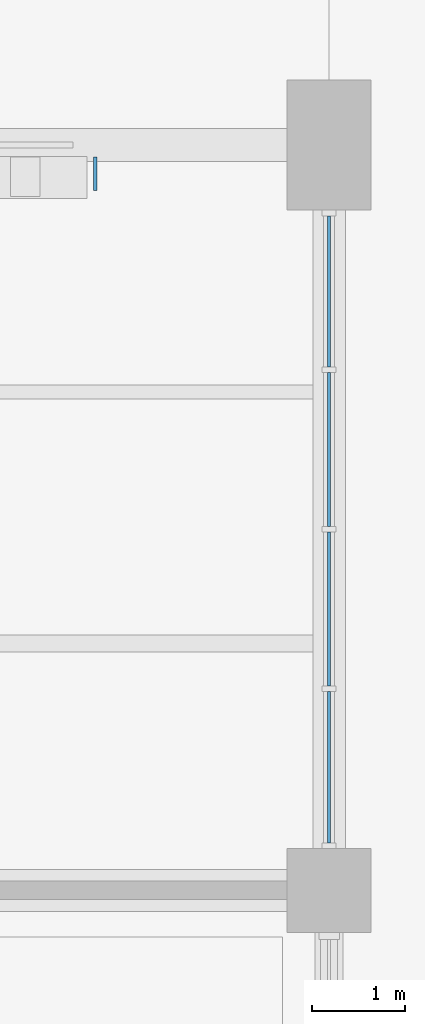
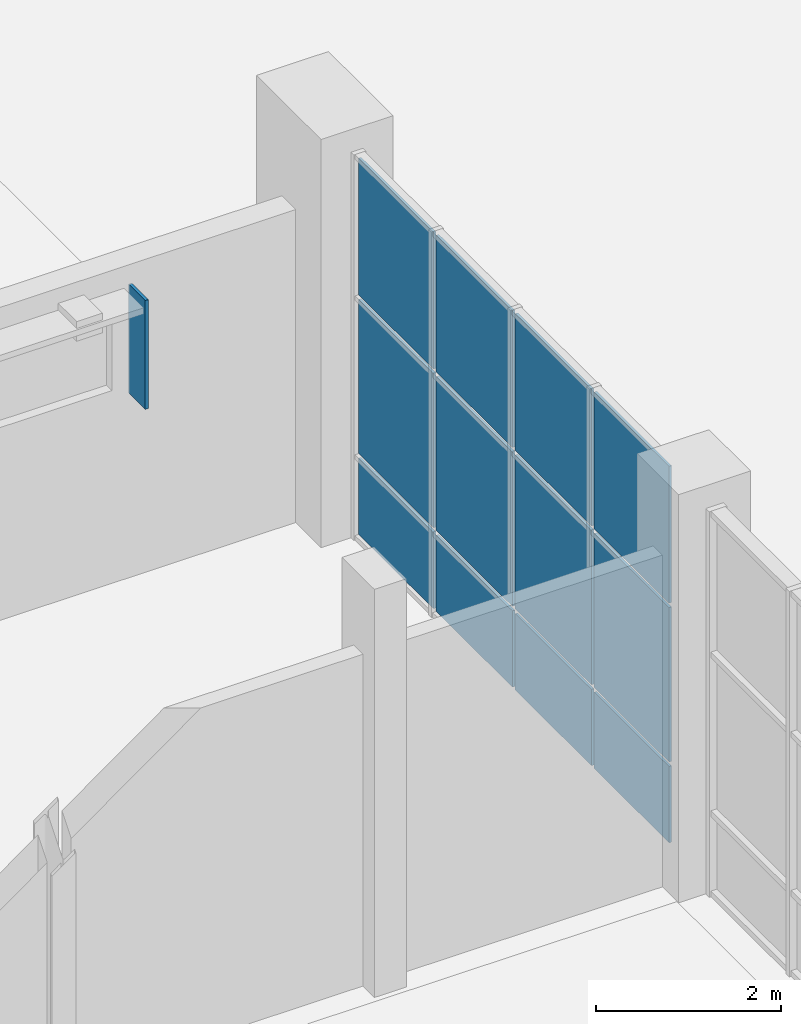
# One storey, part 70 of 123: 13 plates, 1 element without a shape of its own.
"""IFC4 building model written with IfcOpenShell, lengths in metres."""

from ifc_helpers import new_model, si_unit, direction, frame, origin, origin_2d, place, context, subcontext, project, spatial, rectangle, extrude, material, layer, layer_set, type_object, element, aggregate, save


model = new_model("IFC4")

# Units and contexts
model_context = context("Model", 3, precision=1e-05, world=origin(), true_north=direction((0.0, 1.0)))
body_context = subcontext(model_context, "Body", "Model", "MODEL_VIEW")
ifc_project = project(units=[si_unit("LENGTHUNIT", "METRE"), si_unit("AREAUNIT", "SQUARE_METRE"), si_unit("VOLUMEUNIT", "CUBIC_METRE"), si_unit("PLANEANGLEUNIT", "RADIAN"), si_unit("MASSUNIT", "GRAM", prefix="KILO")], contexts=[model_context])

# Site, building, storey
site_placement = place(None, origin())
site = spatial("IfcSite", under=ifc_project, at=site_placement, CompositionType="ELEMENT")
building_placement = place(site_placement, origin())
building = spatial("IfcBuilding", under=site, at=building_placement, Name="Tenunan Teduh Sports Hall", CompositionType="ELEMENT")
storey_placement = place(building_placement, origin())
storey = spatial("IfcBuildingStorey", under=building, at=storey_placement, Name="L00", CompositionType="ELEMENT", Elevation=0.0)

# Curtain wall, plates
ifc_material_1 = material(Name="Anodised aluminium", Category="aluminium")
curtain_wall_type = type_object("IfcCurtainWallType", Name="CW-UNIT-2", PredefinedType="NOTDEFINED", material=ifc_material_1)
curtain_wall_placement = place(storey_placement, origin())
curtain_wall = element("IfcCurtainWall", 1, at=curtain_wall_placement, inside=storey, type_object=curtain_wall_type, Name="CW-CWM-150-L00-039", PredefinedType="NOTDEFINED")
ifc_material_2 = material(Name="Solar-control laminated glazing", Category="glass")
ifc_layer_1 = layer(ifc_material_2, 0.031982421875)
ifc_layer_set_1 = layer_set([ifc_layer_1], Name="Solar-control laminated glazing")
plate_type_1 = type_object("IfcPlateType", Name="CWP-GLZ-32", PredefinedType="CURTAIN_PANEL", material=ifc_layer_set_1)
plate_1_placement = place(storey_placement, frame((54.0, 39.3212890625, 1.1298828125), z_axis=(0.0, 0.0, 1.0), x_axis=(0.0, 1.0, 0.0)))
plate_1 = element("IfcPlate", 2, at=plate_1_placement, type_object=plate_type_1, Name="CW-02 panel 1.2", PredefinedType="CURTAIN_PANEL", context=body_context, shape_type="SweptSolid", body=[
    extrude(rectangle(XDim=1.62255859375, YDim=0.031982421875, at=origin_2d()), origin(), (0.0, 0.0, 1.0), 2.0400390625),
])
plate_2_placement = place(storey_placement, frame((54.0, 39.3212890625, 3.22998046875), z_axis=(0.0, 0.0, 1.0), x_axis=(0.0, 1.0, 0.0)))
plate_2 = element("IfcPlate", 3, at=plate_2_placement, type_object=plate_type_1, Name="CW-02 panel 1.3", PredefinedType="CURTAIN_PANEL", context=body_context, shape_type="SweptSolid", body=[
    extrude(rectangle(XDim=1.62255859375, YDim=0.031982421875, at=origin_2d()), origin(), (0.0, 0.0, 1.0), 1.81005859375),
])
plate_3_placement = place(storey_placement, frame((54.0, 41.018798828125, 1.1298828125), z_axis=(0.0, 0.0, 1.0), x_axis=(0.0, 1.0, 0.0)))
plate_3 = element("IfcPlate", 4, at=plate_3_placement, type_object=plate_type_1, Name="CW-02 panel 2.2", PredefinedType="CURTAIN_PANEL", context=body_context, shape_type="SweptSolid", body=[
    extrude(rectangle(XDim=1.652587890625, YDim=0.031982421875, at=origin_2d()), origin(), (0.0, 0.0, 1.0), 2.0400390625),
])
plate_4_placement = place(storey_placement, frame((54.0, 41.018798828125, 3.22998046875), z_axis=(0.0, 0.0, 1.0), x_axis=(0.0, 1.0, 0.0)))
plate_4 = element("IfcPlate", 5, at=plate_4_placement, type_object=plate_type_1, Name="CW-02 panel 2.3", PredefinedType="CURTAIN_PANEL", context=body_context, shape_type="SweptSolid", body=[
    extrude(rectangle(XDim=1.652587890625, YDim=0.031982421875, at=origin_2d()), origin(), (0.0, 0.0, 1.0), 1.81005859375),
])
plate_5_placement = place(storey_placement, frame((54.0, 42.731201171875, 1.1298828125), z_axis=(0.0, 0.0, 1.0), x_axis=(0.0, 1.0, 0.0)))
plate_5 = element("IfcPlate", 6, at=plate_5_placement, type_object=plate_type_1, Name="CW-02 panel 3.2", PredefinedType="CURTAIN_PANEL", context=body_context, shape_type="SweptSolid", body=[
    extrude(rectangle(XDim=1.652587890625, YDim=0.031982421875, at=origin_2d()), origin(), (0.0, 0.0, 1.0), 2.0400390625),
])
plate_6_placement = place(storey_placement, frame((54.0, 42.731201171875, 3.22998046875), z_axis=(0.0, 0.0, 1.0), x_axis=(0.0, 1.0, 0.0)))
plate_6 = element("IfcPlate", 7, at=plate_6_placement, type_object=plate_type_1, Name="CW-02 panel 3.3", PredefinedType="CURTAIN_PANEL", context=body_context, shape_type="SweptSolid", body=[
    extrude(rectangle(XDim=1.652587890625, YDim=0.031982421875, at=origin_2d()), origin(), (0.0, 0.0, 1.0), 1.81005859375),
])
plate_7_placement = place(storey_placement, frame((54.0, 44.4287109375, 1.1298828125), z_axis=(0.0, 0.0, 1.0), x_axis=(0.0, 1.0, 0.0)))
plate_7 = element("IfcPlate", 8, at=plate_7_placement, type_object=plate_type_1, Name="CW-02 panel 4.2", PredefinedType="CURTAIN_PANEL", context=body_context, shape_type="SweptSolid", body=[
    extrude(rectangle(XDim=1.62255859375, YDim=0.031982421875, at=origin_2d()), origin(), (0.0, 0.0, 1.0), 2.0400390625),
])
plate_8_placement = place(storey_placement, frame((54.0, 44.4287109375, 3.22998046875), z_axis=(0.0, 0.0, 1.0), x_axis=(0.0, 1.0, 0.0)))
plate_8 = element("IfcPlate", 9, at=plate_8_placement, type_object=plate_type_1, Name="CW-02 panel 4.3", PredefinedType="CURTAIN_PANEL", context=body_context, shape_type="SweptSolid", body=[
    extrude(rectangle(XDim=1.62255859375, YDim=0.031982421875, at=origin_2d()), origin(), (0.0, 0.0, 1.0), 1.81005859375),
])
ifc_material_3 = material(Name="Insulated aluminium spandrel panel", Category="aluminium")
ifc_layer_2 = layer(ifc_material_3, 0.044921875)
ifc_layer_set_2 = layer_set([ifc_layer_2], Name="Insulated aluminium spandrel panel")
plate_type_2 = type_object("IfcPlateType", Name="CWP-SPN-45", PredefinedType="CURTAIN_PANEL", material=ifc_layer_set_2)
plate_9_placement = place(storey_placement, frame((54.0, 39.3212890625, 0.06005859375), z_axis=(0.0, 0.0, 1.0), x_axis=(0.0, 1.0, 0.0)))
plate_9 = element("IfcPlate", 10, at=plate_9_placement, type_object=plate_type_2, Name="CW-02 panel 1.1", PredefinedType="CURTAIN_PANEL", context=body_context, shape_type="SweptSolid", body=[
    extrude(rectangle(XDim=1.62255859375, YDim=0.031982421875, at=origin_2d()), origin(), (0.0, 0.0, 1.0), 1.010009765625),
])
plate_10_placement = place(storey_placement, frame((54.0, 41.018798828125, 0.06005859375), z_axis=(0.0, 0.0, 1.0), x_axis=(0.0, 1.0, 0.0)))
plate_10 = element("IfcPlate", 11, at=plate_10_placement, type_object=plate_type_2, Name="CW-02 panel 2.1", PredefinedType="CURTAIN_PANEL", context=body_context, shape_type="SweptSolid", body=[
    extrude(rectangle(XDim=1.652587890625, YDim=0.031982421875, at=origin_2d()), origin(), (0.0, 0.0, 1.0), 1.010009765625),
])
plate_11_placement = place(storey_placement, frame((54.0, 42.731201171875, 0.06005859375), z_axis=(0.0, 0.0, 1.0), x_axis=(0.0, 1.0, 0.0)))
plate_11 = element("IfcPlate", 12, at=plate_11_placement, type_object=plate_type_2, Name="CW-02 panel 3.1", PredefinedType="CURTAIN_PANEL", context=body_context, shape_type="SweptSolid", body=[
    extrude(rectangle(XDim=1.652587890625, YDim=0.031982421875, at=origin_2d()), origin(), (0.0, 0.0, 1.0), 1.010009765625),
])
plate_12_placement = place(storey_placement, frame((54.0, 44.4287109375, 0.06005859375), z_axis=(0.0, 0.0, 1.0), x_axis=(0.0, 1.0, 0.0)))
plate_12 = element("IfcPlate", 13, at=plate_12_placement, type_object=plate_type_2, Name="CW-02 panel 4.1", PredefinedType="CURTAIN_PANEL", context=body_context, shape_type="SweptSolid", body=[
    extrude(rectangle(XDim=1.62255859375, YDim=0.031982421875, at=origin_2d()), origin(), (0.0, 0.0, 1.0), 1.010009765625),
])
aggregate(curtain_wall, [plate_9, plate_1, plate_2, plate_10, plate_3, plate_4, plate_11, plate_5, plate_6, plate_12, plate_7, plate_8])

# Plate
ifc_material_4 = material(Name="Anodised aluminium", Category="aluminium")
ifc_layer_3 = layer(ifc_material_4, 1.89990234375)
ifc_layer_set_3 = layer_set([ifc_layer_3], Name="Anodised aluminium")
plate_type_3 = type_object("IfcPlateType", Name="PLT-FIN-1", PredefinedType="SHEET", material=ifc_layer_set_3)
plate_13_placement = place(storey_placement, frame((51.489990234375, 45.68994140625, 2.429931640625), z_axis=(0.0, 0.0, 1.0), x_axis=(1.0, 0.0, 0.0)))
element("IfcPlate", 14, at=plate_13_placement, inside=storey, type_object=plate_type_3, Name="PLT-FIN-L00-009", PredefinedType="SHEET", context=body_context, shape_type="SweptSolid", body=[
    extrude(rectangle(XDim=0.0400390625, YDim=0.360107421875, at=origin_2d()), origin(), (0.0, 0.0, 1.0), 1.43994140625),
])

save(model, "model.ifc")
